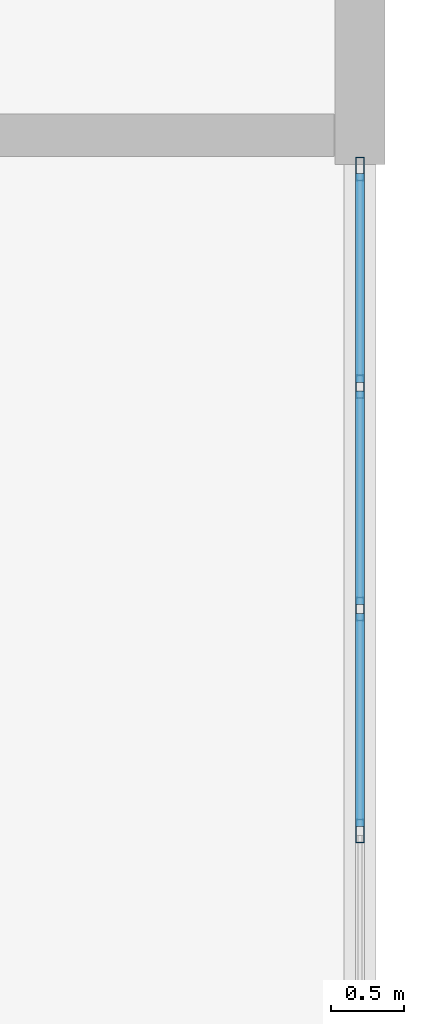
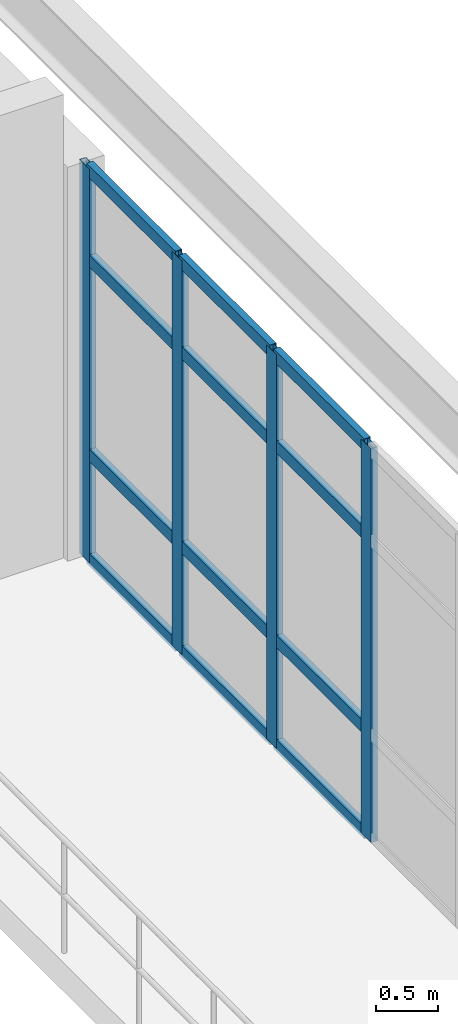
# One storey, part 19 of 38: 16 members, 1 element without a shape of its own.
"""IFC4 building model written with IfcOpenShell, lengths in metres."""

from ifc_helpers import new_model, si_unit, direction, frame, origin, origin_2d, place, context, subcontext, project, spatial, hollow_rectangle, extrude, material, layer, layer_set, material_profile, profile_set, type_object, element, aggregate, save


model = new_model("IFC4")

# Units and contexts
model_context = context("Model", 3, precision=1e-05, world=origin(), true_north=direction((0.0, 1.0)))
body_context = subcontext(model_context, "Body", "Model", "MODEL_VIEW")
ifc_project = project(units=[si_unit("LENGTHUNIT", "METRE"), si_unit("AREAUNIT", "SQUARE_METRE"), si_unit("VOLUMEUNIT", "CUBIC_METRE"), si_unit("PLANEANGLEUNIT", "RADIAN"), si_unit("MASSUNIT", "GRAM", prefix="KILO")], contexts=[model_context])

# Site, building, storey
site_placement = place(None, origin())
site = spatial("IfcSite", under=ifc_project, at=site_placement, CompositionType="ELEMENT")
building_placement = place(site_placement, origin())
building = spatial("IfcBuilding", under=site, at=building_placement, Name="Muzn Square Opera House", CompositionType="ELEMENT")
storey_placement = place(building_placement, frame((0.0, 0.0, 18.0)))
storey = spatial("IfcBuildingStorey", under=building, at=storey_placement, Name="L04", CompositionType="ELEMENT", Elevation=18.0)

# Curtain wall, members
ifc_material_1 = material(Name="Low-E laminated acoustic double glazing", Category="glass")
ifc_layer = layer(ifc_material_1, 0.159912109375, Name="Low-E laminated acoustic double glazing", Category="glass")
ifc_layer_set = layer_set([ifc_layer], Name="Low-E laminated acoustic double glazing")
curtain_wall_type = type_object("IfcCurtainWallType", Name="Glazed Curtain Wall RehearsalEast 12100x3850", PredefinedType="USERDEFINED", material=ifc_layer_set)
curtain_wall_placement = place(storey_placement, origin())
curtain_wall = element("IfcCurtainWall", 1, at=curtain_wall_placement, inside=storey, type_object=curtain_wall_type, Name="Glazed Curtain Wall CW-L04-133", ObjectType="GLAZED CURTAIN WALL", PredefinedType="USERDEFINED")
ifc_material_2 = material(Name="Anodised bronze aluminium 6063-T6", Category="metal")
ifc_material_profile_1 = material_profile(ifc_material_2, hollow_rectangle(XDim=0.06005859375, YDim=0.159912109375, WallThickness=0.00390625, at=origin_2d()), Name="ALU 160x60x4", Category="metal")
ifc_profile_set_1 = profile_set([ifc_material_profile_1], Name="Anodised bronze aluminium 6063-T6")
member_type_1 = type_object("IfcMemberType", Name="Curtain Wall Mullion 160x60", PredefinedType="MULLION", material=ifc_profile_set_1)
member_1_placement = place(storey_placement, frame((170.0, 106.46240234375, 0.0), z_axis=(0.0, 0.0, 1.0), x_axis=(-1.0, 0.0, 0.0)))
member_1 = element("IfcMember", 2, at=member_1_placement, type_object=member_type_1, Name="CW-RHE-121x38 mullion 6", PredefinedType="MULLION", context=body_context, shape_type="SweptSolid", body=[
    extrude(hollow_rectangle(XDim=0.06005859375, YDim=0.159912109375, WallThickness=0.00390625, at=origin_2d()), origin(), (0.0, 0.0, 1.0), 3.85009765625),
])
member_2_placement = place(storey_placement, frame((170.0, 107.97509765625, 0.0), z_axis=(0.0, 0.0, 1.0), x_axis=(-1.0, 0.0, 0.0)))
member_2 = element("IfcMember", 3, at=member_2_placement, type_object=member_type_1, Name="CW-RHE-121x38 mullion 7", PredefinedType="MULLION", context=body_context, shape_type="SweptSolid", body=[
    extrude(hollow_rectangle(XDim=0.06005859375, YDim=0.159912109375, WallThickness=0.00390625, at=origin_2d()), origin(), (0.0, 0.0, 1.0), 3.85009765625),
])
member_3_placement = place(storey_placement, frame((170.0, 109.487548828125, 0.0), z_axis=(0.0, 0.0, 1.0), x_axis=(-1.0, 0.0, 0.0)))
member_3 = element("IfcMember", 4, at=member_3_placement, type_object=member_type_1, Name="CW-RHE-121x38 mullion 8", PredefinedType="MULLION", context=body_context, shape_type="SweptSolid", body=[
    extrude(hollow_rectangle(XDim=0.06005859375, YDim=0.159912109375, WallThickness=0.00390625, at=origin_2d()), origin(), (0.0, 0.0, 1.0), 3.85009765625),
])
member_4_placement = place(storey_placement, frame((170.0, 110.969970703125, 0.0), z_axis=(0.0, 0.0, 1.0), x_axis=(-1.0, 0.0, 0.0)))
member_4 = element("IfcMember", 5, at=member_4_placement, type_object=member_type_1, Name="CW-RHE-121x38 mullion 9", PredefinedType="MULLION", context=body_context, shape_type="SweptSolid", body=[
    extrude(hollow_rectangle(XDim=0.06005859375, YDim=0.159912109375, WallThickness=0.00390625, at=origin_2d()), origin(), (0.0, 0.0, 1.0), 3.85009765625),
])
ifc_material_profile_2 = material_profile(ifc_material_2, hollow_rectangle(XDim=0.06005859375, YDim=0.1201171875, WallThickness=0.00390625, at=origin_2d()), Name="ALU 120x60x4", Category="metal")
ifc_profile_set_2 = profile_set([ifc_material_profile_2], Name="Anodised bronze aluminium 6063-T6")
member_type_2 = type_object("IfcMemberType", Name="Curtain Wall Transom 120x60", PredefinedType="USERDEFINED", material=ifc_profile_set_2)
member_5_placement = place(storey_placement, frame((170.0, 106.492431640625, 0.030029296875), z_axis=(0.0, 1.0, 0.0), x_axis=(-1.0, 0.0, 0.0)))
member_5 = element("IfcMember", 6, at=member_5_placement, type_object=member_type_2, Name="CW-RHE-121x38 transom 6.1", ObjectType="TRANSOM", PredefinedType="USERDEFINED", context=body_context, shape_type="SweptSolid", body=[
    extrude(hollow_rectangle(XDim=0.06005859375, YDim=0.1201171875, WallThickness=0.00390625, at=origin_2d()), origin(), (0.0, 0.0, 1.0), 1.45263671875),
])
member_6_placement = place(storey_placement, frame((170.0, 106.492431640625, 1.050048828125), z_axis=(0.0, 1.0, 0.0), x_axis=(-1.0, 0.0, 0.0)))
member_6 = element("IfcMember", 7, at=member_6_placement, type_object=member_type_2, Name="CW-RHE-121x38 transom 6.2", ObjectType="TRANSOM", PredefinedType="USERDEFINED", context=body_context, shape_type="SweptSolid", body=[
    extrude(hollow_rectangle(XDim=0.06005859375, YDim=0.1201171875, WallThickness=0.00390625, at=origin_2d()), origin(), (0.0, 0.0, 1.0), 1.45263671875),
])
member_7_placement = place(storey_placement, frame((170.0, 106.492431640625, 2.949951171875), z_axis=(0.0, 1.0, 0.0), x_axis=(-1.0, 0.0, 0.0)))
member_7 = element("IfcMember", 8, at=member_7_placement, type_object=member_type_2, Name="CW-RHE-121x38 transom 6.3", ObjectType="TRANSOM", PredefinedType="USERDEFINED", context=body_context, shape_type="SweptSolid", body=[
    extrude(hollow_rectangle(XDim=0.06005859375, YDim=0.1201171875, WallThickness=0.00390625, at=origin_2d()), origin(), (0.0, 0.0, 1.0), 1.45263671875),
])
member_8_placement = place(storey_placement, frame((170.0, 106.492431640625, 3.820068359375), z_axis=(0.0, 1.0, 0.0), x_axis=(-1.0, 0.0, 0.0)))
member_8 = element("IfcMember", 9, at=member_8_placement, type_object=member_type_2, Name="CW-RHE-121x38 transom 6.4", ObjectType="TRANSOM", PredefinedType="USERDEFINED", context=body_context, shape_type="SweptSolid", body=[
    extrude(hollow_rectangle(XDim=0.06005859375, YDim=0.1201171875, WallThickness=0.00390625, at=origin_2d()), origin(), (0.0, 0.0, 1.0), 1.45263671875),
])
member_9_placement = place(storey_placement, frame((170.0, 108.0048828125, 0.030029296875), z_axis=(0.0, 1.0, 0.0), x_axis=(-1.0, 0.0, 0.0)))
member_9 = element("IfcMember", 10, at=member_9_placement, type_object=member_type_2, Name="CW-RHE-121x38 transom 7.1", ObjectType="TRANSOM", PredefinedType="USERDEFINED", context=body_context, shape_type="SweptSolid", body=[
    extrude(hollow_rectangle(XDim=0.06005859375, YDim=0.1201171875, WallThickness=0.00390625, at=origin_2d()), origin(), (0.0, 0.0, 1.0), 1.45263671875),
])
member_10_placement = place(storey_placement, frame((170.0, 108.0048828125, 1.050048828125), z_axis=(0.0, 1.0, 0.0), x_axis=(-1.0, 0.0, 0.0)))
member_10 = element("IfcMember", 11, at=member_10_placement, type_object=member_type_2, Name="CW-RHE-121x38 transom 7.2", ObjectType="TRANSOM", PredefinedType="USERDEFINED", context=body_context, shape_type="SweptSolid", body=[
    extrude(hollow_rectangle(XDim=0.06005859375, YDim=0.1201171875, WallThickness=0.00390625, at=origin_2d()), origin(), (0.0, 0.0, 1.0), 1.45263671875),
])
member_11_placement = place(storey_placement, frame((170.0, 108.0048828125, 2.949951171875), z_axis=(0.0, 1.0, 0.0), x_axis=(-1.0, 0.0, 0.0)))
member_11 = element("IfcMember", 12, at=member_11_placement, type_object=member_type_2, Name="CW-RHE-121x38 transom 7.3", ObjectType="TRANSOM", PredefinedType="USERDEFINED", context=body_context, shape_type="SweptSolid", body=[
    extrude(hollow_rectangle(XDim=0.06005859375, YDim=0.1201171875, WallThickness=0.00390625, at=origin_2d()), origin(), (0.0, 0.0, 1.0), 1.45263671875),
])
member_12_placement = place(storey_placement, frame((170.0, 108.0048828125, 3.820068359375), z_axis=(0.0, 1.0, 0.0), x_axis=(-1.0, 0.0, 0.0)))
member_12 = element("IfcMember", 13, at=member_12_placement, type_object=member_type_2, Name="CW-RHE-121x38 transom 7.4", ObjectType="TRANSOM", PredefinedType="USERDEFINED", context=body_context, shape_type="SweptSolid", body=[
    extrude(hollow_rectangle(XDim=0.06005859375, YDim=0.1201171875, WallThickness=0.00390625, at=origin_2d()), origin(), (0.0, 0.0, 1.0), 1.45263671875),
])
member_13_placement = place(storey_placement, frame((170.0, 109.517578125, 0.030029296875), z_axis=(0.0, 1.0, 0.0), x_axis=(-1.0, 0.0, 0.0)))
member_13 = element("IfcMember", 14, at=member_13_placement, type_object=member_type_2, Name="CW-RHE-121x38 transom 8.1", ObjectType="TRANSOM", PredefinedType="USERDEFINED", context=body_context, shape_type="SweptSolid", body=[
    extrude(hollow_rectangle(XDim=0.06005859375, YDim=0.1201171875, WallThickness=0.00390625, at=origin_2d()), origin(), (0.0, 0.0, 1.0), 1.42236328125),
])
member_14_placement = place(storey_placement, frame((170.0, 109.517578125, 1.050048828125), z_axis=(0.0, 1.0, 0.0), x_axis=(-1.0, 0.0, 0.0)))
member_14 = element("IfcMember", 15, at=member_14_placement, type_object=member_type_2, Name="CW-RHE-121x38 transom 8.2", ObjectType="TRANSOM", PredefinedType="USERDEFINED", context=body_context, shape_type="SweptSolid", body=[
    extrude(hollow_rectangle(XDim=0.06005859375, YDim=0.1201171875, WallThickness=0.00390625, at=origin_2d()), origin(), (0.0, 0.0, 1.0), 1.42236328125),
])
member_15_placement = place(storey_placement, frame((170.0, 109.517578125, 2.949951171875), z_axis=(0.0, 1.0, 0.0), x_axis=(-1.0, 0.0, 0.0)))
member_15 = element("IfcMember", 16, at=member_15_placement, type_object=member_type_2, Name="CW-RHE-121x38 transom 8.3", ObjectType="TRANSOM", PredefinedType="USERDEFINED", context=body_context, shape_type="SweptSolid", body=[
    extrude(hollow_rectangle(XDim=0.06005859375, YDim=0.1201171875, WallThickness=0.00390625, at=origin_2d()), origin(), (0.0, 0.0, 1.0), 1.42236328125),
])
member_16_placement = place(storey_placement, frame((170.0, 109.517578125, 3.820068359375), z_axis=(0.0, 1.0, 0.0), x_axis=(-1.0, 0.0, 0.0)))
member_16 = element("IfcMember", 17, at=member_16_placement, type_object=member_type_2, Name="CW-RHE-121x38 transom 8.4", ObjectType="TRANSOM", PredefinedType="USERDEFINED", context=body_context, shape_type="SweptSolid", body=[
    extrude(hollow_rectangle(XDim=0.06005859375, YDim=0.1201171875, WallThickness=0.00390625, at=origin_2d()), origin(), (0.0, 0.0, 1.0), 1.42236328125),
])
aggregate(curtain_wall, [member_1, member_2, member_3, member_4, member_5, member_6, member_7, member_8, member_9, member_10, member_11, member_12, member_13, member_14, member_15, member_16])

save(model, "model.ifc")
